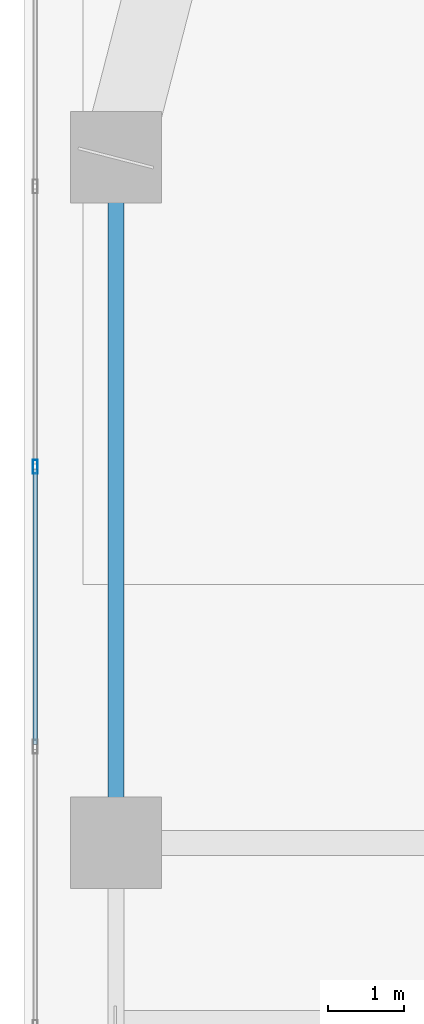
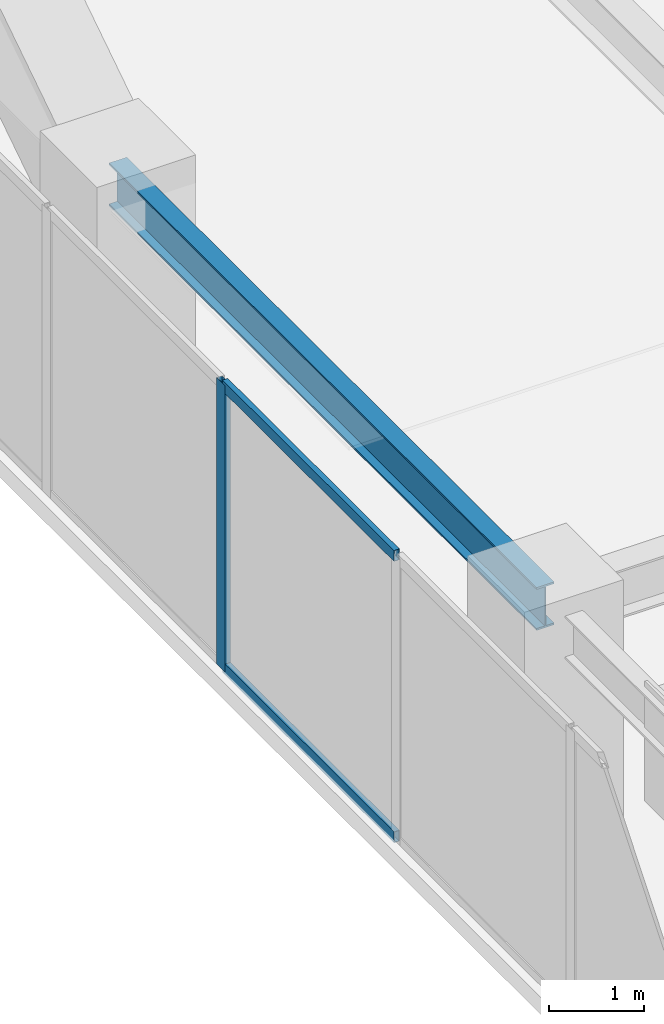
# One storey, part 7 of 30: 3 members, 1 beam, 1 element without a shape of its own.
"""IFC4 building model written with IfcOpenShell, lengths in metres."""

import ifcopenshell
import ifcopenshell.guid

model = None  # the IFC model being written
_history = None  # IfcOwnerHistory: only IFC2X3 demands one
_inside = {}  # id of a spatial element -> (the spatial element, [elements in it])
_under = {}  # id of a project, library or spatial element -> (it, [spatial elements below it])
_declared = {}  # id of a project -> (the project, [libraries it declares])
_typed = {}  # id of a type object -> (the type object, [elements of that type])
_made_of = {}  # id of a material, layer set ... -> (it, [elements and type objects made of it])


def new_model(schema):
    """Start an empty IFC model of exactly this schema.

    Asked for "IFC4X3", IfcOpenShell would pick the latest addendum, in which some entities
    have other attributes; the version numbers below select the first issue.
    IFC2X3 requires an IfcOwnerHistory on every rooted entity: one is made here for all.
    """
    global model, _history
    if schema == "IFC4X3":
        model = ifcopenshell.file(schema_version=(4, 3, 0, 0))
    else:
        model = ifcopenshell.file(schema=schema)
    _inside.clear()
    _under.clear()
    _declared.clear()
    _typed.clear()
    _made_of.clear()
    _history = None
    if model.schema == "IFC2X3":
        org = make("IfcOrganization", Name="unknown")
        user = make(
            "IfcPersonAndOrganization",
            ThePerson=make("IfcPerson", FamilyName="unknown"),
            TheOrganization=org,
        )
        app = make(
            "IfcApplication",
            ApplicationDeveloper=org,
            Version="unknown",
            ApplicationFullName="unknown",
            ApplicationIdentifier="unknown",
        )
        _history = make(
            "IfcOwnerHistory",
            OwningUser=user,
            OwningApplication=app,
            ChangeAction="ADDED",
            CreationDate=0,
        )
    return model


def make(cls, **values):
    """One entity of the class cls with the attributes given. An attribute that is None is left unset."""
    return model.create_entity(
        cls, **{name: value for name, value in values.items() if value is not None}
    )


def rooted(cls, **values):
    """An entity with a GlobalId (a new one), such as an element, a storey or a relation."""
    return make(cls, GlobalId=ifcopenshell.guid.new(), OwnerHistory=_history, **values)


def si_unit(unit_type, name, prefix=None):
    """IfcSIUnit, for example si_unit("LENGTHUNIT", "METRE", prefix="MILLI")."""
    return make("IfcSIUnit", UnitType=unit_type, Prefix=prefix, Name=name)


def assignment(units):
    """IfcUnitAssignment: the units of a project."""
    return None if units is None else make("IfcUnitAssignment", Units=units)


def point(xyz):
    """IfcCartesianPoint."""
    return None if xyz is None else make("IfcCartesianPoint", Coordinates=xyz)


def direction(xyz):
    """IfcDirection."""
    return None if xyz is None else make("IfcDirection", DirectionRatios=xyz)


def frame(location, z_axis=None, x_axis=None):
    """IfcAxis2Placement3D, a coordinate frame: its origin and axes. An axis left out is left unset."""
    return make(
        "IfcAxis2Placement3D",
        Location=point(location),
        Axis=direction(z_axis),
        RefDirection=direction(x_axis),
    )


def frame_2d(location, x_axis=None):
    """IfcAxis2Placement2D, a coordinate frame in the plane: its origin and x axis."""
    return make(
        "IfcAxis2Placement2D", Location=point(location), RefDirection=direction(x_axis)
    )


def origin():
    """The frame at (0, 0, 0) with its axes left unset."""
    return frame((0.0, 0.0, 0.0))


def origin_2d():
    """The frame at (0, 0) in the plane with its x axis left unset."""
    return frame_2d((0.0, 0.0))


def place(relative_to, where):
    """IfcLocalPlacement: puts the frame where relative to a parent placement (None: the world)."""
    return make(
        "IfcLocalPlacement", PlacementRelTo=relative_to, RelativePlacement=where
    )


def context(
    kind, dimensions, precision=None, world=None, true_north=None, identifier=None
):
    """IfcGeometricRepresentationContext, for example the 3D "Model" context."""
    return make(
        "IfcGeometricRepresentationContext",
        ContextIdentifier=identifier,
        ContextType=kind,
        CoordinateSpaceDimension=dimensions,
        Precision=precision,
        WorldCoordinateSystem=world,
        TrueNorth=true_north,
    )


def subcontext(parent, identifier, kind, view, scale=None):
    """IfcGeometricRepresentationSubContext, for example "Body" below "Model"."""
    return make(
        "IfcGeometricRepresentationSubContext",
        ContextIdentifier=identifier,
        ContextType=kind,
        ParentContext=parent,
        TargetScale=scale,
        TargetView=view,
    )


def project(units=None, contexts=None):
    """IfcProject with its units and contexts."""
    return rooted(
        "IfcProject",
        Name="project",
        RepresentationContexts=contexts,
        UnitsInContext=assignment(units),
    )


def spatial(cls, under=None, at=None, **own):
    """A site, building, storey or space (cls), placed at a placement, below another one or the project."""
    s = rooted(cls, ObjectPlacement=at, **own)
    if under is not None:
        _under.setdefault(under.id(), (under, []))[1].append(s)
    return s


def profile(cls, at=None, kind="AREA", **sizes):
    """A parametric profile (cls). Its sizes go by their IFC names, for example OverallWidth=200.0."""
    return make(cls, ProfileType=kind, Position=at, **sizes)


def hollow_rectangle(**sizes):
    """IfcRectangleHollowProfileDef."""
    return profile("IfcRectangleHollowProfileDef", **sizes)


def i_section(**sizes):
    """IfcIShapeProfileDef."""
    return profile("IfcIShapeProfileDef", **sizes)


def extrude(swept, where, along, depth):
    """IfcExtrudedAreaSolid: the profile swept, set in the frame where, extruded along a direction by depth."""
    return make(
        "IfcExtrudedAreaSolid",
        SweptArea=swept,
        Position=where,
        ExtrudedDirection=direction(along),
        Depth=depth,
    )


def shape(context_of_items, identifier, shape_type, items):
    """IfcShapeRepresentation: the items that make up one representation, for example the "Body"."""
    return make(
        "IfcShapeRepresentation",
        ContextOfItems=context_of_items,
        RepresentationIdentifier=identifier,
        RepresentationType=shape_type,
        Items=items,
    )


def material(Name=None, Category=None):
    """IfcMaterial."""
    return make("IfcMaterial", Name=Name, Category=Category)


def layer(
    of_material, thickness, ventilated=None, Name=None, Category=None, Priority=None
):
    """IfcMaterialLayer: one layer of a wall or slab, of a material (None: an air gap)."""
    return make(
        "IfcMaterialLayer",
        Material=of_material,
        LayerThickness=thickness,
        IsVentilated=ventilated,
        Name=Name,
        Category=Category,
        Priority=Priority,
    )


def layer_set(layers, Name=None):
    """IfcMaterialLayerSet."""
    return make("IfcMaterialLayerSet", MaterialLayers=layers, LayerSetName=Name)


def material_profile(
    of_material, cross_section, Name=None, Category=None, Priority=None
):
    """IfcMaterialProfile: a cross section and its material."""
    return make(
        "IfcMaterialProfile",
        Name=Name,
        Material=of_material,
        Profile=cross_section,
        Priority=Priority,
        Category=Category,
    )


def profile_set(profiles, Name=None, composite=None):
    """IfcMaterialProfileSet."""
    return make(
        "IfcMaterialProfileSet",
        Name=Name,
        MaterialProfiles=profiles,
        CompositeProfile=composite,
    )


def made_of(thing, what):
    """Note that an element or type object is made of a material, layer set ...; save() writes the relation."""
    if what is not None:
        _made_of.setdefault(what.id(), (what, []))[1].append(thing)
    return thing


def type_object(cls, material=None, **own):
    """A type object (cls), such as IfcWallType, which elements share."""
    return made_of(rooted(cls, **own), material)


def element(
    cls,
    number,
    at=None,
    inside=None,
    cuts=None,
    type_object=None,
    material=None,
    context=None,
    identifier="Body",
    shape_type=None,
    held_by="IfcProductDefinitionShape",
    body=None,
    shapes=None,
    **own,
):
    """One element of the class cls, such as IfcWall. Its Tag is "e" and its number.

    at: its placement. inside: the storey or other place that contains it. cuts: it is an
    opening in that element (IfcRelVoidsElement). A single representation is given by context,
    identifier, shape_type and body (its items); several are given by shapes. held_by: the class
    of the entity that holds the representations. save() writes the other relations.
    """
    e = rooted(cls, Tag="e%d" % number, ObjectPlacement=at, **own)
    if body is not None:
        shapes = [shape(context, identifier, shape_type, body)]
    if shapes is not None:
        e.Representation = make(held_by, Representations=shapes)
    if inside is not None:
        _inside.setdefault(inside.id(), (inside, []))[1].append(e)
    if cuts is not None:
        rooted(
            "IfcRelVoidsElement", RelatingBuildingElement=cuts, RelatedOpeningElement=e
        )
    if type_object is not None:
        _typed.setdefault(type_object.id(), (type_object, []))[1].append(e)
    return made_of(e, material)


def aggregate(whole, parts):
    """IfcRelAggregates: a whole, such as a stair, and the parts it consists of."""
    return rooted("IfcRelAggregates", RelatingObject=whole, RelatedObjects=parts)


def save(model, path):
    """Write the relations noted so far, then the file.

    IfcRelAggregates (storeys below a building ...), IfcRelContainedInSpatialStructure (elements
    in a storey), IfcRelDefinesByType, IfcRelAssociatesMaterial and IfcRelDeclares: one each for
    every whole, place, type object, material and project.
    """
    for whole, parts in _under.values():
        aggregate(whole, parts)
    for where, things in _inside.values():
        rooted(
            "IfcRelContainedInSpatialStructure",
            RelatedElements=things,
            RelatingStructure=where,
        )
    for kind, things in _typed.values():
        rooted("IfcRelDefinesByType", RelatedObjects=things, RelatingType=kind)
    for what, things in _made_of.values():
        rooted("IfcRelAssociatesMaterial", RelatedObjects=things, RelatingMaterial=what)
    for by, libraries in _declared.values():
        rooted("IfcRelDeclares", RelatingContext=by, RelatedDefinitions=libraries)
    model.write(path)


model = new_model("IFC4")

# Units and contexts
model_context = context("Model", 3, precision=1e-05, world=origin(), true_north=direction((0.0, 1.0)))
body_context = subcontext(model_context, "Body", "Model", "MODEL_VIEW")
ifc_project = project(units=[si_unit("LENGTHUNIT", "METRE"), si_unit("AREAUNIT", "SQUARE_METRE"), si_unit("VOLUMEUNIT", "CUBIC_METRE"), si_unit("PLANEANGLEUNIT", "RADIAN"), si_unit("MASSUNIT", "GRAM", prefix="KILO")], contexts=[model_context])

# Site, building, storey
site_placement = place(None, origin())
site = spatial("IfcSite", under=ifc_project, at=site_placement, CompositionType="ELEMENT")
building_placement = place(site_placement, origin())
building = spatial("IfcBuilding", under=site, at=building_placement, Name="Kiyonajd Concourse Tower", CompositionType="ELEMENT")
storey_placement = place(building_placement, frame((0.0, 0.0, 177.89990234375)))
storey = spatial("IfcBuildingStorey", under=building, at=storey_placement, Name="L45", CompositionType="ELEMENT", Elevation=177.89990234375)

# Beam
ifc_material_1 = material(Name="Steel ASTM A992 Grade 50", Category="steel")
ifc_material_profile_1 = material_profile(ifc_material_1, i_section(OverallWidth=0.214111328125, OverallDepth=0.549072265625, WebThickness=0.0146484375, FlangeThickness=0.023681640625, at=origin_2d()), Name="W530X138")
ifc_profile_set_1 = profile_set([ifc_material_profile_1], Name="Steel ASTM A992 Grade 50")
beam_type = type_object("IfcBeamType", Name="BM-SPAN-530A", PredefinedType="SPANDREL", material=ifc_profile_set_1)
beam_placement = place(storey_placement, frame((19.199951171875, 53.39990234375, 3.405517578125), z_axis=(0.0, -1.0, 0.0), x_axis=(1.0, 0.0, 0.0)))
element("IfcBeam", 1, at=beam_placement, inside=storey, type_object=beam_type, Name="L45 Perimeter Bundled Tube Spandrel", PredefinedType="SPANDREL", context=body_context, shape_type="SweptSolid", body=[
    extrude(i_section(OverallWidth=0.214111328125, OverallDepth=0.549072265625, WebThickness=0.0146484375, FlangeThickness=0.023681640625, at=origin_2d()), origin(), (0.0, 0.0, 1.0), 9.0),
])

# Curtain wall, members
ifc_material_2 = material(Name="Thermally Broken Anodised Aluminium", Category="aluminium")
ifc_layer = layer(ifc_material_2, 0.179931640625)
ifc_layer_set = layer_set([ifc_layer], Name="Thermally Broken Anodised Aluminium")
curtain_wall_type = type_object("IfcCurtainWallType", Name="CW-SYS-03", PredefinedType="NOTDEFINED", material=ifc_layer_set)
curtain_wall_placement = place(storey_placement, origin())
curtain_wall = element("IfcCurtainWall", 2, at=curtain_wall_placement, inside=storey, type_object=curtain_wall_type, Name="L45 Unitised Curtain Wall CW3", PredefinedType="NOTDEFINED")
ifc_material_profile_2 = material_profile(ifc_material_2, hollow_rectangle(XDim=0.06494140625, YDim=0.179931640625, WallThickness=0.00390625, at=origin_2d()), Name="MULL-65x180")
ifc_profile_set_2 = profile_set([ifc_material_profile_2], Name="Thermally Broken Anodised Aluminium")
member_type_1 = type_object("IfcMemberType", Name="MB-CW-MULL1", PredefinedType="MULLION", material=ifc_profile_set_2)
member_1_placement = place(storey_placement, frame((18.139892578125, 49.337646484375, 0.0), z_axis=(0.0, 0.0, 1.0), x_axis=(-1.0, 0.0, 0.0)))
member_1 = element("IfcMember", 3, at=member_1_placement, type_object=member_type_1, Name="CW3 mullion 5", PredefinedType="MULLION", context=body_context, shape_type="SweptSolid", body=[
    extrude(hollow_rectangle(XDim=0.06494140625, YDim=0.179931640625, WallThickness=0.00390625, at=origin_2d()), origin(), (0.0, 0.0, 1.0), 3.68017578125),
])
ifc_material_profile_3 = material_profile(ifc_material_2, hollow_rectangle(XDim=0.06494140625, YDim=0.139892578125, WallThickness=0.00390625, at=origin_2d()), Name="TRAN-65x140")
ifc_profile_set_3 = profile_set([ifc_material_profile_3], Name="Thermally Broken Anodised Aluminium")
member_type_2 = type_object("IfcMemberType", Name="MB-CW-TRAN1", PredefinedType="USERDEFINED", material=ifc_profile_set_3)
member_2_placement = place(storey_placement, frame((18.139892578125, 45.693359375, 0.03271484375), z_axis=(0.0, 1.0, 0.0), x_axis=(-1.0, 0.0, 0.0)))
member_2 = element("IfcMember", 4, at=member_2_placement, type_object=member_type_2, Name="CW3 transom 4.1", ObjectType="TRANSOM", PredefinedType="USERDEFINED", context=body_context, shape_type="SweptSolid", body=[
    extrude(hollow_rectangle(XDim=0.06494140625, YDim=0.139892578125, WallThickness=0.00390625, at=origin_2d()), origin(), (0.0, 0.0, 1.0), 3.61181640625),
])
member_3_placement = place(storey_placement, frame((18.139892578125, 45.693359375, 3.647705078125), z_axis=(0.0, 1.0, 0.0), x_axis=(-1.0, 0.0, 0.0)))
member_3 = element("IfcMember", 5, at=member_3_placement, type_object=member_type_2, Name="CW3 transom 4.2", ObjectType="TRANSOM", PredefinedType="USERDEFINED", context=body_context, shape_type="SweptSolid", body=[
    extrude(hollow_rectangle(XDim=0.06494140625, YDim=0.139892578125, WallThickness=0.00390625, at=origin_2d()), origin(), (0.0, 0.0, 1.0), 3.61181640625),
])
aggregate(curtain_wall, [member_1, member_2, member_3])

save(model, "model.ifc")
